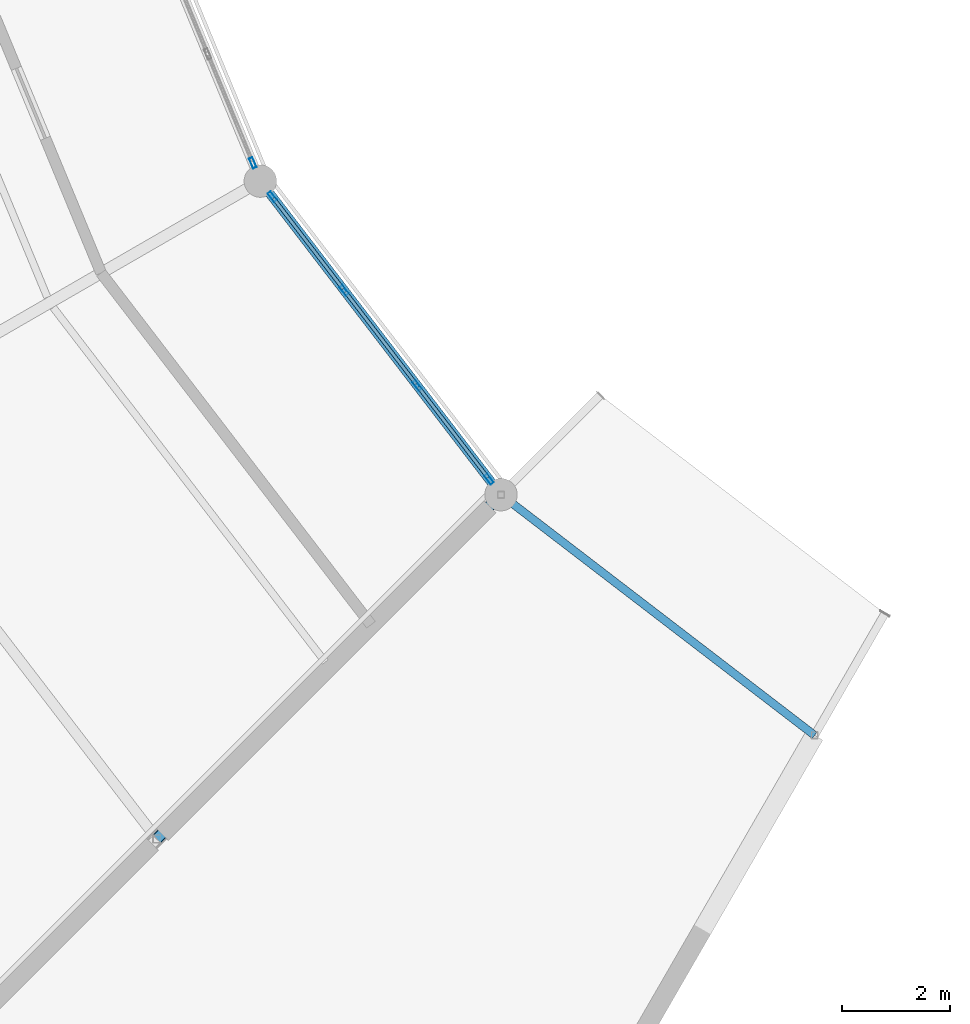
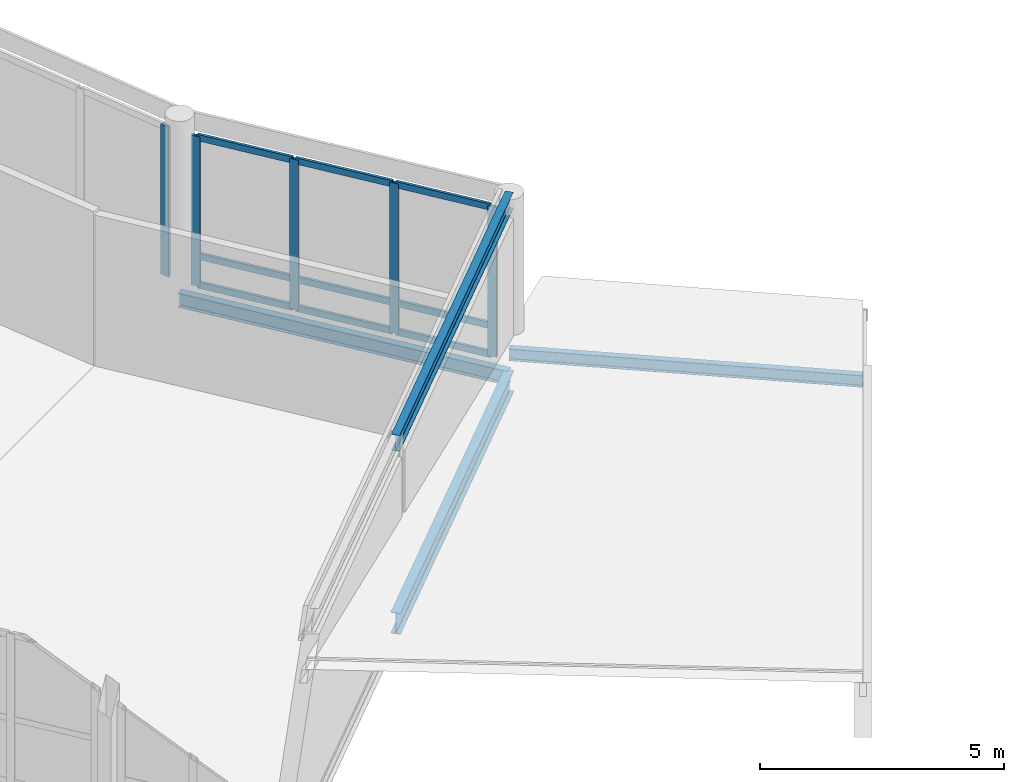
# One storey, part 41 of 200: 14 members, 4 beams, 2 elements without a shape of their own.
"""IFC4 building model written with IfcOpenShell, lengths in metres."""

from ifc_helpers import new_model, si_unit, direction, frame, origin, origin_2d, place, context, subcontext, project, spatial, hollow_rectangle, i_section, extrude, material, material_profile, profile_set, type_object, element, aggregate, save


model = new_model("IFC4")

# Units and contexts
model_context = context("Model", 3, precision=1e-05, world=origin(), true_north=direction((0.0, 1.0)))
body_context = subcontext(model_context, "Body", "Model", "MODEL_VIEW")
ifc_project = project(units=[si_unit("LENGTHUNIT", "METRE"), si_unit("AREAUNIT", "SQUARE_METRE"), si_unit("VOLUMEUNIT", "CUBIC_METRE"), si_unit("PLANEANGLEUNIT", "RADIAN"), si_unit("MASSUNIT", "GRAM", prefix="KILO")], contexts=[model_context])

# Site, building, storey
site_placement = place(None, origin())
site = spatial("IfcSite", under=ifc_project, at=site_placement, CompositionType="ELEMENT")
building_placement = place(site_placement, origin())
building = spatial("IfcBuilding", under=site, at=building_placement, Name="Vondelvale Polytechnic", CompositionType="ELEMENT")
storey_placement = place(building_placement, frame((0.0, 0.0, 13.800048828125)))
storey = spatial("IfcBuildingStorey", under=building, at=storey_placement, Name="L03", CompositionType="ELEMENT", Elevation=13.800048828125)

# Beams
ifc_material_1 = material(Name="Steel 300PLUS (fy = 300 MPa)", Category="steel")
ifc_material_profile_1 = material_profile(ifc_material_1, i_section(OverallWidth=0.14892578125, OverallDepth=0.298095703125, WebThickness=0.005615234375, FlangeThickness=0.008056640625, FilletRadius=0.011474609375, at=origin_2d()), Name="310UB32.0")
ifc_profile_set_1 = profile_set([ifc_material_profile_1], Name="Steel 300PLUS (fy = 300 MPa)")
beam_type_1 = type_object("IfcBeamType", Name="BM-UB310L", PredefinedType="BEAM", material=ifc_profile_set_1)
beam_1_placement = place(storey_placement, frame((82.200927734375, 52.200927734375, 0.16259765625), z_axis=(0.793358469083, -0.608754744979, 0.0), x_axis=(0.608754744979, 0.793358469083, 0.0)))
element("IfcBeam", 1, at=beam_1_placement, inside=storey, type_object=beam_type_1, Name="L03 RE B-25", PredefinedType="BEAM", context=body_context, shape_type="SweptSolid", body=[
    extrude(i_section(OverallWidth=0.14892578125, OverallDepth=0.298095703125, WebThickness=0.005615234375, FlangeThickness=0.008056640625, FilletRadius=0.011474609375, at=origin_2d()), origin(), (0.0, 0.0, 1.0), 7.3095703125),
])
ifc_material_profile_2 = material_profile(ifc_material_1, i_section(OverallWidth=0.1708984375, OverallDepth=0.35205078125, WebThickness=0.0068359375, FlangeThickness=0.009765625, FilletRadius=0.011474609375, at=origin_2d()), Name="360UB44.7")
ifc_profile_set_2 = profile_set([ifc_material_profile_2], Name="Steel 300PLUS (fy = 300 MPa)")
beam_type_2 = type_object("IfcBeamType", Name="BM-UB360L", PredefinedType="BEAM", material=ifc_profile_set_2)
beam_2_placement = place(storey_placement, frame((77.751220703125, 58.0, -0.426025390625), z_axis=(0.608754744979, -0.793358469083, 0.0), x_axis=(0.793358469083, 0.608754744979, 0.0)))
element("IfcBeam", 2, at=beam_2_placement, inside=storey, type_object=beam_type_2, Name="L03 RB B-24", PredefinedType="BEAM", context=body_context, shape_type="SweptSolid", body=[
    extrude(i_section(OverallWidth=0.1708984375, OverallDepth=0.35205078125, WebThickness=0.0068359375, FlangeThickness=0.009765625, FilletRadius=0.011474609375, at=origin_2d()), origin(), (0.0, 0.0, 1.0), 7.3095703125),
])
ifc_material_profile_3 = material_profile(ifc_material_1, i_section(OverallWidth=0.177978515625, OverallDepth=0.403076171875, WebThickness=0.007568359375, FlangeThickness=0.010986328125, FilletRadius=0.011474609375, at=origin_2d()), Name="410UB53.7")
ifc_profile_set_3 = profile_set([ifc_material_profile_3], Name="Steel 300PLUS (fy = 300 MPa)")
beam_type_3 = type_object("IfcBeamType", Name="BM-UB410L", PredefinedType="BEAM", material=ifc_profile_set_3)
beam_3_placement = place(storey_placement, frame((82.200927734375, 52.200927734375, 3.99853515625), z_axis=(-0.707106781187, -0.707106781187, 0.0), x_axis=(0.707106781187, -0.707106781187, 0.0)))
element("IfcBeam", 3, at=beam_3_placement, inside=storey, type_object=beam_type_3, Name="L03 REG B-23", PredefinedType="BEAM", context=body_context, shape_type="SweptSolid", body=[
    extrude(i_section(OverallWidth=0.177978515625, OverallDepth=0.403076171875, WebThickness=0.007568359375, FlangeThickness=0.010986328125, FilletRadius=0.011474609375, at=origin_2d()), origin(), (0.0, 0.0, 1.0), 9.0),
])
ifc_material_profile_4 = material_profile(ifc_material_1, i_section(OverallWidth=0.208984375, OverallDepth=0.528076171875, WebThickness=0.009521484375, FlangeThickness=0.01318359375, FilletRadius=0.013916015625, at=origin_2d()), Name="530UB82.0")
ifc_profile_set_4 = profile_set([ifc_material_profile_4], Name="Steel 300PLUS (fy = 300 MPa)")
beam_type_4 = type_object("IfcBeamType", Name="BM-UB530L", PredefinedType="BEAM", material=ifc_profile_set_4)
beam_4_placement = place(storey_placement, frame((82.200927734375, 52.200927734375, -0.51416015625), z_axis=(-0.707106781187, -0.707106781187, 0.0), x_axis=(0.707106781187, -0.707106781187, 0.0)))
element("IfcBeam", 4, at=beam_4_placement, inside=storey, type_object=beam_type_4, Name="L03 RG B-21", PredefinedType="BEAM", context=body_context, shape_type="SweptSolid", body=[
    extrude(i_section(OverallWidth=0.208984375, OverallDepth=0.528076171875, WebThickness=0.009521484375, FlangeThickness=0.01318359375, FilletRadius=0.013916015625, at=origin_2d()), origin(), (0.0, 0.0, 1.0), 9.0),
])

# Curtain wall, member
ifc_material_2 = material(Name="Anodised extruded aluminium 6063-T6", Category="aluminium")
curtain_wall_type = type_object("IfcCurtainWallType", Name="CW-RING-CLOISTER", PredefinedType="NOTDEFINED", material=ifc_material_2)
curtain_wall_1_placement = place(storey_placement, origin())
curtain_wall_1 = element("IfcCurtainWall", 5, at=curtain_wall_1_placement, inside=storey, type_object=curtain_wall_type, Name="L03 architectural curtain wall CW-03-287", PredefinedType="NOTDEFINED")
ifc_material_profile_5 = material_profile(ifc_material_2, hollow_rectangle(XDim=0.070068359375, YDim=0.199951171875, WallThickness=0.00390625, at=origin_2d()), Name="CW-MUL-200x70")
ifc_profile_set_5 = profile_set([ifc_material_profile_5], Name="Anodised extruded aluminium 6063-T6")
member_type_1 = type_object("IfcMemberType", Name="CW-MUL-70x200", PredefinedType="MULLION", material=ifc_profile_set_5)
member_1_placement = place(storey_placement, frame((77.611572265625, 58.337158203125, 0.0), z_axis=(0.0, 0.0, 1.0), x_axis=(0.923881562419, 0.382678531697, 0.0)))
member_1 = element("IfcMember", 6, at=member_1_placement, type_object=member_type_1, Name="CW-03-287 mullion 4", PredefinedType="MULLION", context=body_context, shape_type="SweptSolid", body=[
    extrude(hollow_rectangle(XDim=0.070068359375, YDim=0.199951171875, WallThickness=0.00390625, at=origin_2d()), origin(), (0.0, 0.0, 1.0), 3.75),
])
aggregate(curtain_wall_1, [member_1])

# Curtain wall, members
curtain_wall_2_placement = place(storey_placement, origin())
curtain_wall_2 = element("IfcCurtainWall", 7, at=curtain_wall_2_placement, inside=storey, type_object=curtain_wall_type, Name="L03 architectural curtain wall CW-03-306", PredefinedType="NOTDEFINED")
member_2_placement = place(storey_placement, frame((77.97265625, 57.71142578125, 0.0), z_axis=(0.0, 0.0, 1.0), x_axis=(0.793363861089, 0.608747717793, 0.0)))
member_2 = element("IfcMember", 8, at=member_2_placement, type_object=member_type_1, Name="CW-03-306 mullion 1", PredefinedType="MULLION", context=body_context, shape_type="SweptSolid", body=[
    extrude(hollow_rectangle(XDim=0.070068359375, YDim=0.199951171875, WallThickness=0.00390625, at=origin_2d()), origin(), (0.0, 0.0, 1.0), 3.75),
])
member_3_placement = place(storey_placement, frame((79.30126953125, 55.97998046875, 0.0), z_axis=(0.0, 0.0, 1.0), x_axis=(0.793363861089, 0.608747717793, 0.0)))
member_3 = element("IfcMember", 9, at=member_3_placement, type_object=member_type_1, Name="CW-03-306 mullion 2", PredefinedType="MULLION", context=body_context, shape_type="SweptSolid", body=[
    extrude(hollow_rectangle(XDim=0.070068359375, YDim=0.199951171875, WallThickness=0.00390625, at=origin_2d()), origin(), (0.0, 0.0, 1.0), 3.75),
])
member_4_placement = place(storey_placement, frame((80.651123046875, 54.220947265625, 0.0), z_axis=(0.0, 0.0, 1.0), x_axis=(0.793363861089, 0.608747717793, 0.0)))
member_4 = element("IfcMember", 10, at=member_4_placement, type_object=member_type_1, Name="CW-03-306 mullion 3", PredefinedType="MULLION", context=body_context, shape_type="SweptSolid", body=[
    extrude(hollow_rectangle(XDim=0.070068359375, YDim=0.199951171875, WallThickness=0.00390625, at=origin_2d()), origin(), (0.0, 0.0, 1.0), 3.75),
])
member_5_placement = place(storey_placement, frame((81.9794921875, 52.489501953125, 0.0), z_axis=(0.0, 0.0, 1.0), x_axis=(0.793363861089, 0.608747717793, 0.0)))
member_5 = element("IfcMember", 11, at=member_5_placement, type_object=member_type_1, Name="CW-03-306 mullion 4", PredefinedType="MULLION", context=body_context, shape_type="SweptSolid", body=[
    extrude(hollow_rectangle(XDim=0.070068359375, YDim=0.199951171875, WallThickness=0.00390625, at=origin_2d()), origin(), (0.0, 0.0, 1.0), 3.75),
])
ifc_material_profile_6 = material_profile(ifc_material_2, hollow_rectangle(XDim=0.06494140625, YDim=0.159912109375, WallThickness=0.00341796875, at=origin_2d()), Name="CW-TRN-160x65")
ifc_profile_set_6 = profile_set([ifc_material_profile_6], Name="Anodised extruded aluminium 6063-T6")
member_type_2 = type_object("IfcMemberType", Name="CW-TRN-70x160", PredefinedType="USERDEFINED", material=ifc_profile_set_6)
member_6_placement = place(storey_placement, frame((77.993896484375, 57.683837890625, 0.032470703125), z_axis=(0.608783266169, -0.793336583571, 0.0), x_axis=(0.793336583571, 0.608783266169, 0.0)))
member_6 = element("IfcMember", 12, at=member_6_placement, type_object=member_type_2, Name="CW-03-306 transom 1.1", ObjectType="TRANSOM", PredefinedType="USERDEFINED", context=body_context, shape_type="SweptSolid", body=[
    extrude(hollow_rectangle(XDim=0.06494140625, YDim=0.159912109375, WallThickness=0.00341796875, at=origin_2d()), origin(), (0.0, 0.0, 1.0), 2.112548828125),
])
member_7_placement = place(storey_placement, frame((77.993896484375, 57.683837890625, 0.75), z_axis=(0.608783266169, -0.793336583571, 0.0), x_axis=(0.793336583571, 0.608783266169, 0.0)))
member_7 = element("IfcMember", 13, at=member_7_placement, type_object=member_type_2, Name="CW-03-306 transom 1.2", ObjectType="TRANSOM", PredefinedType="USERDEFINED", context=body_context, shape_type="SweptSolid", body=[
    extrude(hollow_rectangle(XDim=0.06494140625, YDim=0.159912109375, WallThickness=0.00341796875, at=origin_2d()), origin(), (0.0, 0.0, 1.0), 2.112548828125),
])
member_8_placement = place(storey_placement, frame((77.993896484375, 57.683837890625, 3.717529296875), z_axis=(0.608783266169, -0.793336583571, 0.0), x_axis=(0.793336583571, 0.608783266169, 0.0)))
member_8 = element("IfcMember", 14, at=member_8_placement, type_object=member_type_2, Name="CW-03-306 transom 1.3", ObjectType="TRANSOM", PredefinedType="USERDEFINED", context=body_context, shape_type="SweptSolid", body=[
    extrude(hollow_rectangle(XDim=0.06494140625, YDim=0.159912109375, WallThickness=0.00341796875, at=origin_2d()), origin(), (0.0, 0.0, 1.0), 2.112548828125),
])
member_9_placement = place(storey_placement, frame((79.322509765625, 55.952392578125, 0.032470703125), z_axis=(0.608732251269, -0.793375728306, 0.0), x_axis=(0.793375728306, 0.608732251269, 0.0)))
member_9 = element("IfcMember", 15, at=member_9_placement, type_object=member_type_2, Name="CW-03-306 transom 2.1", ObjectType="TRANSOM", PredefinedType="USERDEFINED", context=body_context, shape_type="SweptSolid", body=[
    extrude(hollow_rectangle(XDim=0.06494140625, YDim=0.159912109375, WallThickness=0.00341796875, at=origin_2d()), origin(), (0.0, 0.0, 1.0), 2.147216796875),
])
member_10_placement = place(storey_placement, frame((79.322509765625, 55.952392578125, 0.75), z_axis=(0.608732251269, -0.793375728306, 0.0), x_axis=(0.793375728306, 0.608732251269, 0.0)))
member_10 = element("IfcMember", 16, at=member_10_placement, type_object=member_type_2, Name="CW-03-306 transom 2.2", ObjectType="TRANSOM", PredefinedType="USERDEFINED", context=body_context, shape_type="SweptSolid", body=[
    extrude(hollow_rectangle(XDim=0.06494140625, YDim=0.159912109375, WallThickness=0.00341796875, at=origin_2d()), origin(), (0.0, 0.0, 1.0), 2.147216796875),
])
member_11_placement = place(storey_placement, frame((79.322509765625, 55.952392578125, 3.717529296875), z_axis=(0.608732251269, -0.793375728306, 0.0), x_axis=(0.793375728306, 0.608732251269, 0.0)))
member_11 = element("IfcMember", 17, at=member_11_placement, type_object=member_type_2, Name="CW-03-306 transom 2.3", ObjectType="TRANSOM", PredefinedType="USERDEFINED", context=body_context, shape_type="SweptSolid", body=[
    extrude(hollow_rectangle(XDim=0.06494140625, YDim=0.159912109375, WallThickness=0.00341796875, at=origin_2d()), origin(), (0.0, 0.0, 1.0), 2.147216796875),
])
member_12_placement = place(storey_placement, frame((80.67236328125, 54.193115234375, 0.032470703125), z_axis=(0.608766343448, -0.793349569285, 0.0), x_axis=(0.793349569285, 0.608766343448, 0.0)))
member_12 = element("IfcMember", 18, at=member_12_placement, type_object=member_type_2, Name="CW-03-306 transom 3.1", ObjectType="TRANSOM", PredefinedType="USERDEFINED", context=body_context, shape_type="SweptSolid", body=[
    extrude(hollow_rectangle(XDim=0.06494140625, YDim=0.159912109375, WallThickness=0.00341796875, at=origin_2d()), origin(), (0.0, 0.0, 1.0), 2.1123046875),
])
member_13_placement = place(storey_placement, frame((80.67236328125, 54.193115234375, 0.75), z_axis=(0.608766343448, -0.793349569285, 0.0), x_axis=(0.793349569285, 0.608766343448, 0.0)))
member_13 = element("IfcMember", 19, at=member_13_placement, type_object=member_type_2, Name="CW-03-306 transom 3.2", ObjectType="TRANSOM", PredefinedType="USERDEFINED", context=body_context, shape_type="SweptSolid", body=[
    extrude(hollow_rectangle(XDim=0.06494140625, YDim=0.159912109375, WallThickness=0.00341796875, at=origin_2d()), origin(), (0.0, 0.0, 1.0), 2.1123046875),
])
member_14_placement = place(storey_placement, frame((80.67236328125, 54.193115234375, 3.717529296875), z_axis=(0.608766343448, -0.793349569285, 0.0), x_axis=(0.793349569285, 0.608766343448, 0.0)))
member_14 = element("IfcMember", 20, at=member_14_placement, type_object=member_type_2, Name="CW-03-306 transom 3.3", ObjectType="TRANSOM", PredefinedType="USERDEFINED", context=body_context, shape_type="SweptSolid", body=[
    extrude(hollow_rectangle(XDim=0.06494140625, YDim=0.159912109375, WallThickness=0.00341796875, at=origin_2d()), origin(), (0.0, 0.0, 1.0), 2.1123046875),
])
aggregate(curtain_wall_2, [member_2, member_3, member_4, member_5, member_6, member_7, member_8, member_9, member_10, member_11, member_12, member_13, member_14])

save(model, "model.ifc")
